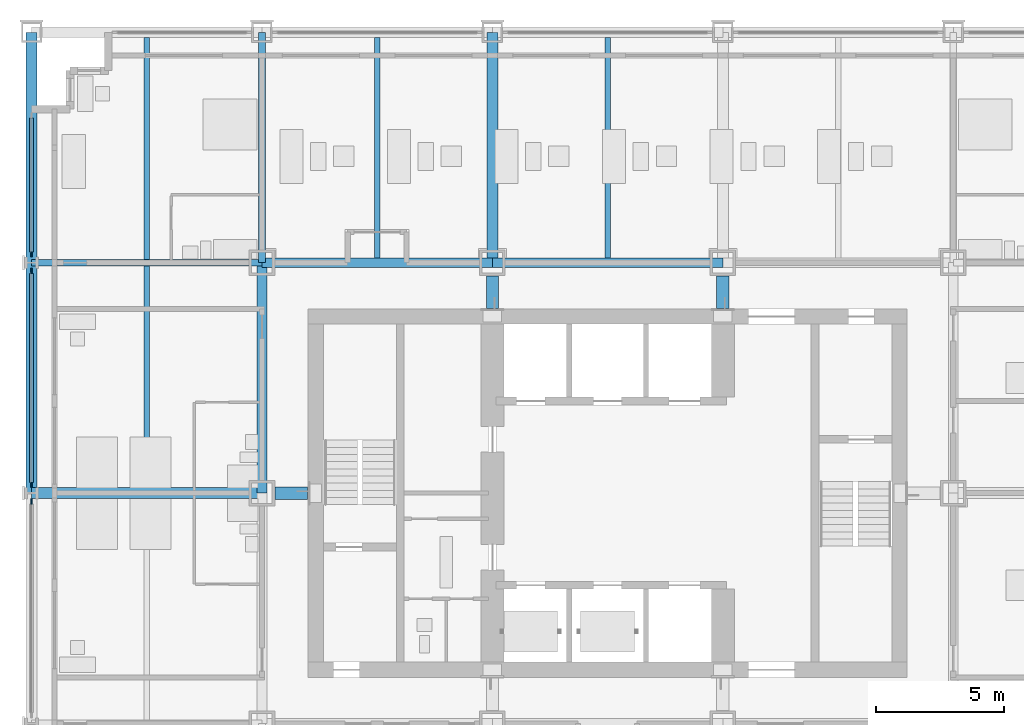
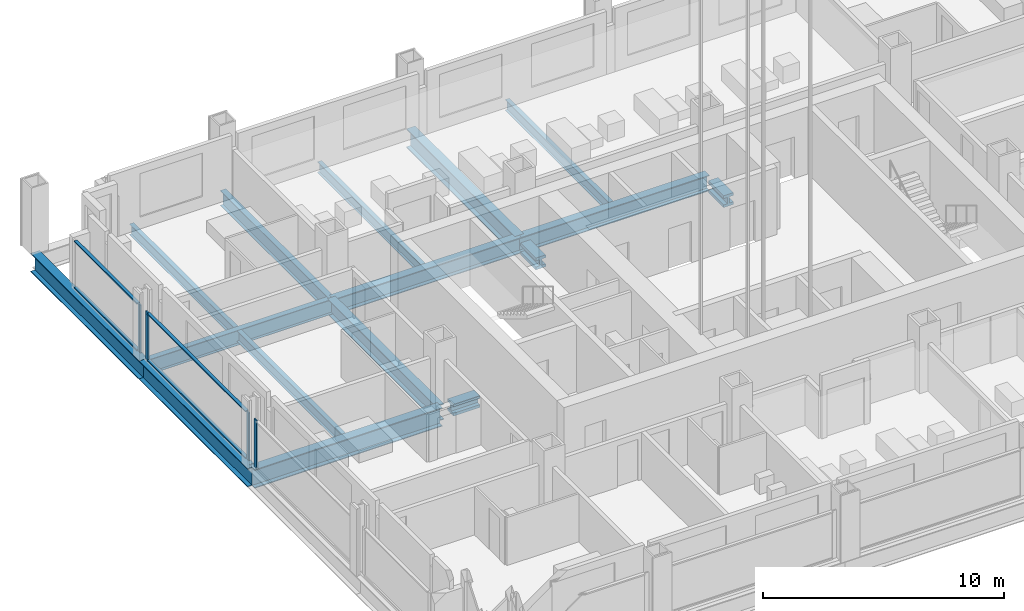
# One storey, part 4 of 19: 13 beams, 11 members, 3 elements without a shape of their own.
"""IFC4 building model written with IfcOpenShell, lengths in metres."""

from ifc_helpers import new_model, si_unit, direction, frame, origin, origin_2d, place, context, subcontext, project, spatial, rectangle, i_section, extrude, material, material_profile, profile_set, type_object, element, aggregate, save


model = new_model("IFC4")

# Units and contexts
model_context = context("Model", 3, precision=1e-05, world=origin(), true_north=direction((0.0, 1.0)))
body_context = subcontext(model_context, "Body", "Model", "MODEL_VIEW")
ifc_project = project(units=[si_unit("LENGTHUNIT", "METRE"), si_unit("AREAUNIT", "SQUARE_METRE"), si_unit("VOLUMEUNIT", "CUBIC_METRE"), si_unit("PLANEANGLEUNIT", "RADIAN"), si_unit("MASSUNIT", "GRAM", prefix="KILO")], contexts=[model_context])

# Site, building, storey
site_placement = place(None, origin())
site = spatial("IfcSite", under=ifc_project, at=site_placement, CompositionType="ELEMENT")
building_placement = place(site_placement, origin())
building = spatial("IfcBuilding", under=site, at=building_placement, Name="Loomwork Tower", CompositionType="ELEMENT")
storey_placement = place(building_placement, frame((0.0, 0.0, 94.199951171875)))
storey = spatial("IfcBuildingStorey", under=building, at=storey_placement, Name="L24", CompositionType="ELEMENT", Elevation=94.199951171875)

# Beams
ifc_material_1 = material(Name="Steel ASTM A992", Category="steel")
ifc_material_profile_1 = material_profile(ifc_material_1, i_section(OverallWidth=0.424072265625, OverallDepth=0.947509765625, WebThickness=0.02392578125, FlangeThickness=0.042724609375, at=origin_2d()), Name="W36x302")
ifc_profile_set_1 = profile_set([ifc_material_profile_1], Name="Steel ASTM A992")
beam_type_1 = type_object("IfcBeamType", Name="BELT CHORD SPANDREL W36x302", PredefinedType="SPANDREL", material=ifc_profile_set_1)
for number, where, z_axis, x_axis, name in (
    (1, (0.0, 18.0, -0.673583984375), (0.0, 1.0, 0.0), (-1.0, 0.0, 0.0), "Belt Chord Spandrel F/2-G/2 L24"),
    (2, (0.0, 27.0, -0.673583984375), (0.0, 1.0, 0.0), (-1.0, 0.0, 0.0), "Belt Chord Spandrel G/2-H/2 L24"),
):
    element("IfcBeam", number, at=place(storey_placement, frame(where, z_axis=z_axis, x_axis=x_axis)), inside=storey, type_object=beam_type_1, Name=name, PredefinedType="SPANDREL", context=body_context, shape_type="SweptSolid", body=[
        extrude(i_section(OverallWidth=0.424072265625, OverallDepth=0.947509765625, WebThickness=0.02392578125, FlangeThickness=0.042724609375, at=origin_2d()), origin(), (0.0, 0.0, 1.0), 9.0),
    ])
ifc_material_2 = material(Name="Steel ASTM A992", Category="steel")
ifc_material_profile_2 = material_profile(ifc_material_2, i_section(OverallWidth=0.383544921875, OverallDepth=0.794921875, WebThickness=0.02099609375, FlangeThickness=0.0380859375, at=origin_2d()), Name="W30x235")
ifc_profile_set_2 = profile_set([ifc_material_profile_2], Name="Steel ASTM A992")
beam_type_2 = type_object("IfcBeamType", Name="CORE FLANK GIRDER W30x235", PredefinedType="BEAM", material=ifc_profile_set_2)
for number, where, z_axis, x_axis, name in (
    (3, (9.0, 27.0, -0.597412109375), (1.0, 0.0, 0.0), (0.0, 1.0, 0.0), "Core Flank Girder G/3-G/4 L24"),
    (4, (18.0, 27.0, -0.597412109375), (1.0, 0.0, 0.0), (0.0, 1.0, 0.0), "Core Flank Girder G/4-G/5 L24"),
    (5, (9.0, 18.0, -0.597412109375), (0.0, 1.0, 0.0), (-1.0, 0.0, 0.0), "Core Flank Girder F/3-G/3 L24"),
):
    element("IfcBeam", number, at=place(storey_placement, frame(where, z_axis=z_axis, x_axis=x_axis)), inside=storey, type_object=beam_type_2, Name=name, PredefinedType="BEAM", context=body_context, shape_type="SweptSolid", body=[
        extrude(i_section(OverallWidth=0.383544921875, OverallDepth=0.794921875, WebThickness=0.02099609375, FlangeThickness=0.0380859375, at=origin_2d()), origin(), (0.0, 0.0, 1.0), 9.0),
    ])
ifc_material_3 = material(Name="Steel ASTM A992", Category="steel")
ifc_material_profile_3 = material_profile(ifc_material_3, i_section(OverallWidth=0.2666015625, OverallDepth=0.761962890625, WebThickness=0.014404296875, FlangeThickness=0.021484375, at=origin_2d()), Name="W30x116")
ifc_profile_set_3 = profile_set([ifc_material_profile_3], Name="Steel ASTM A992")
beam_type_3 = type_object("IfcBeamType", Name="FLOOR GIRDER W30x116", PredefinedType="BEAM", material=ifc_profile_set_3)
for number, where, z_axis, x_axis, name in (
    (6, (0.0, 27.0, -0.5810546875), (1.0, 0.0, 0.0), (0.0, 1.0, 0.0), "Floor Girder G/2-G/3 L24"),
    (7, (9.0, 27.0, -0.5810546875), (0.0, 1.0, 0.0), (-1.0, 0.0, 0.0), "Floor Girder G/3-H/3 L24"),
):
    element("IfcBeam", number, at=place(storey_placement, frame(where, z_axis=z_axis, x_axis=x_axis)), inside=storey, type_object=beam_type_3, Name=name, PredefinedType="BEAM", context=body_context, shape_type="SweptSolid", body=[
        extrude(i_section(OverallWidth=0.2666015625, OverallDepth=0.761962890625, WebThickness=0.014404296875, FlangeThickness=0.021484375, at=origin_2d()), origin(), (0.0, 0.0, 1.0), 9.0),
    ])
ifc_material_4 = material(Name="Steel ASTM A992", Category="steel")
ifc_material_profile_4 = material_profile(ifc_material_4, i_section(OverallWidth=0.21240234375, OverallDepth=0.54345703125, WebThickness=0.01318359375, FlangeThickness=0.021240234375, at=origin_2d()), Name="W21x83")
ifc_profile_set_4 = profile_set([ifc_material_profile_4], Name="Steel ASTM A992")
beam_type_4 = type_object("IfcBeamType", Name="FLOOR JOIST W21x83", PredefinedType="JOIST", material=ifc_profile_set_4)
for number, where, z_axis, x_axis, name in (
    (8, (4.5, 18.2119140625, -0.4716796875), (0.0, 1.0, 0.0), (-1.0, 0.0, 0.0), "Floor Joist 4.500,18.000-4.500,27.000 L24"),
    (9, (4.5, 27.133056640625, -0.4716796875), (0.0, 1.0, 0.0), (-1.0, 0.0, 0.0), "Floor Joist 4.500,27.000-4.500,36.000 L24"),
):
    element("IfcBeam", number, at=place(storey_placement, frame(where, z_axis=z_axis, x_axis=x_axis)), inside=storey, type_object=beam_type_4, Name=name, PredefinedType="JOIST", context=body_context, shape_type="SweptSolid", body=[
        extrude(i_section(OverallWidth=0.21240234375, OverallDepth=0.54345703125, WebThickness=0.01318359375, FlangeThickness=0.021240234375, at=origin_2d()), origin(), (0.0, 0.0, 1.0), 8.655029296875),
    ])
for number, where, z_axis, x_axis, name in (
    (10, (13.5, 27.19091796875, -0.4716796875), (0.0, 1.0, 0.0), (-1.0, 0.0, 0.0), "Floor Joist 13.500,27.000-13.500,36.000 L24"),
    (11, (22.5, 27.19091796875, -0.4716796875), (0.0, 1.0, 0.0), (-1.0, 0.0, 0.0), "Floor Joist 22.500,27.000-22.500,36.000 L24"),
):
    element("IfcBeam", number, at=place(storey_placement, frame(where, z_axis=z_axis, x_axis=x_axis)), inside=storey, type_object=beam_type_4, Name=name, PredefinedType="JOIST", context=body_context, shape_type="SweptSolid", body=[
        extrude(i_section(OverallWidth=0.21240234375, OverallDepth=0.54345703125, WebThickness=0.01318359375, FlangeThickness=0.021240234375, at=origin_2d()), origin(), (0.0, 0.0, 1.0), 8.59716796875),
    ])
ifc_material_5 = material(Name="Steel ASTM A992", Category="steel")
ifc_material_profile_5 = material_profile(ifc_material_5, i_section(OverallWidth=0.424072265625, OverallDepth=0.947509765625, WebThickness=0.02392578125, FlangeThickness=0.042724609375, at=origin_2d()), Name="W36x302")
ifc_profile_set_5 = profile_set([ifc_material_profile_5], Name="Steel ASTM A992")
beam_type_5 = type_object("IfcBeamType", Name="OUTRIGGER GIRDER W36x302", PredefinedType="BEAM", material=ifc_profile_set_5)
for number, where, z_axis, x_axis, name in (
    (12, (0.0, 18.0, -0.673583984375), (1.0, 0.0, 0.0), (0.0, 1.0, 0.0), "Outrigger Girder F/2-F/3 L24"),
    (13, (18.0, 27.0, -0.673583984375), (0.0, 1.0, 0.0), (-1.0, 0.0, 0.0), "Outrigger Girder G/4-H/4 L24"),
):
    element("IfcBeam", number, at=place(storey_placement, frame(where, z_axis=z_axis, x_axis=x_axis)), inside=storey, type_object=beam_type_5, Name=name, PredefinedType="BEAM", context=body_context, shape_type="SweptSolid", body=[
        extrude(i_section(OverallWidth=0.424072265625, OverallDepth=0.947509765625, WebThickness=0.02392578125, FlangeThickness=0.042724609375, at=origin_2d()), origin(), (0.0, 0.0, 1.0), 9.0),
    ])

# Members
ifc_material_6 = material(Name="Steel ASTM A992", Category="steel")
ifc_material_profile_6 = material_profile(ifc_material_6, i_section(OverallWidth=0.4775390625, OverallDepth=0.599365234375, WebThickness=0.10009765625, FlangeThickness=0.139892578125, at=origin_2d()), Name="W14x873")
ifc_profile_set_6 = profile_set([ifc_material_profile_6], Name="Steel ASTM A992")
member_type_1 = type_object("IfcMemberType", Name="OUTRIGGER STRUT W14x873", PredefinedType="STRUT", material=ifc_profile_set_6)
for number, where, z_axis, x_axis, name in (
    (14, (27.0, 26.489990234375, -0.499755859375), (0.0, -1.0, 0.0), (1.0, 0.0, 0.0), "Outrigger strut G/5-27.000,24.900 L24"),
    (15, (18.0, 26.489990234375, -0.499755859375), (0.0, -1.0, 0.0), (1.0, 0.0, 0.0), "Outrigger strut G/4-18.000,24.900 L24"),
    (16, (9.510009765625, 18.0, -0.499755859375), (1.0, 0.0, 0.0), (0.0, 1.0, 0.0), "Outrigger strut F/3-11.100,18.000 L24"),
):
    element("IfcMember", number, at=place(storey_placement, frame(where, z_axis=z_axis, x_axis=x_axis)), inside=storey, type_object=member_type_1, Name=name, PredefinedType="STRUT", context=body_context, shape_type="SweptSolid", body=[
        extrude(i_section(OverallWidth=0.4775390625, OverallDepth=0.599365234375, WebThickness=0.10009765625, FlangeThickness=0.139892578125, at=origin_2d()), origin(), (0.0, 0.0, 1.0), 1.27490234375),
    ])

# Curtain wall, member
ifc_material_7 = material(Name="Aluminium curtain wall frame", Category="aluminium")
curtain_wall_type = type_object("IfcCurtainWallType", Name="Outer skin glazing hotel", PredefinedType="NOTDEFINED", material=ifc_material_7)
curtain_wall_1_placement = place(storey_placement, origin())
curtain_wall_1 = element("IfcCurtainWall", 17, at=curtain_wall_1_placement, inside=storey, type_object=curtain_wall_type, Name="Outer skin glazing hotel cw/W-9", PredefinedType="NOTDEFINED")
ifc_material_8 = material(Name="Aluminium curtain wall frame", Category="aluminium")
ifc_material_profile_7 = material_profile(ifc_material_8, rectangle(XDim=0.06494140625, YDim=0.199951171875, at=origin_2d()), Name="AL 65x200")
ifc_profile_set_7 = profile_set([ifc_material_profile_7], Name="Aluminium curtain wall frame")
member_type_2 = type_object("IfcMemberType", Name="Outer skin glazing hotel mullion", PredefinedType="MULLION", material=ifc_profile_set_7)
member_1_placement = place(storey_placement, frame((0.0, 17.67529296875, 0.0), z_axis=(0.0, 0.0, 1.0), x_axis=(1.0, 0.0, 0.0)))
member_1 = element("IfcMember", 18, at=member_1_placement, type_object=member_type_2, Name="CW1 mullion 1", PredefinedType="MULLION", context=body_context, shape_type="SweptSolid", body=[
    extrude(rectangle(XDim=0.06494140625, YDim=0.199951171875, at=origin_2d()), origin(), (0.0, 0.0, 1.0), 2.420166015625),
])
aggregate(curtain_wall_1, [member_1])

# Curtain wall, members
curtain_wall_2_placement = place(storey_placement, origin())
curtain_wall_2 = element("IfcCurtainWall", 19, at=curtain_wall_2_placement, inside=storey, type_object=curtain_wall_type, Name="Outer skin glazing hotel cw/W-18", PredefinedType="NOTDEFINED")
member_2_placement = place(storey_placement, frame((0.0, 26.67529296875, 0.0), z_axis=(0.0, 0.0, 1.0), x_axis=(1.0, 0.0, 0.0)))
member_2 = element("IfcMember", 20, at=member_2_placement, type_object=member_type_2, Name="CW1 mullion 1", PredefinedType="MULLION", context=body_context, shape_type="SweptSolid", body=[
    extrude(rectangle(XDim=0.06494140625, YDim=0.199951171875, at=origin_2d()), origin(), (0.0, 0.0, 1.0), 2.420166015625),
])
member_3_placement = place(storey_placement, frame((0.0, 18.32470703125, 0.0), z_axis=(0.0, 0.0, 1.0), x_axis=(1.0, 0.0, 0.0)))
member_3 = element("IfcMember", 21, at=member_3_placement, type_object=member_type_2, Name="CW1 mullion 2", PredefinedType="MULLION", context=body_context, shape_type="SweptSolid", body=[
    extrude(rectangle(XDim=0.06494140625, YDim=0.199951171875, at=origin_2d()), origin(), (0.0, 0.0, 1.0), 2.420166015625),
])

# Curtain wall, member
curtain_wall_3_placement = place(storey_placement, origin())
curtain_wall_3 = element("IfcCurtainWall", 22, at=curtain_wall_3_placement, inside=storey, type_object=curtain_wall_type, Name="Outer skin glazing hotel cw/W-27", PredefinedType="NOTDEFINED")
member_4_placement = place(storey_placement, frame((0.0, 27.32470703125, 0.0), z_axis=(0.0, 0.0, 1.0), x_axis=(1.0, 0.0, 0.0)))
member_4 = element("IfcMember", 23, at=member_4_placement, type_object=member_type_2, Name="CW1 mullion 2", PredefinedType="MULLION", context=body_context, shape_type="SweptSolid", body=[
    extrude(rectangle(XDim=0.06494140625, YDim=0.199951171875, at=origin_2d()), origin(), (0.0, 0.0, 1.0), 2.420166015625),
])

# Member
ifc_material_9 = material(Name="Aluminium curtain wall frame", Category="aluminium")
ifc_material_profile_8 = material_profile(ifc_material_9, rectangle(XDim=0.14990234375, YDim=0.06494140625, at=origin_2d()), Name="AL 65x150")
ifc_profile_set_8 = profile_set([ifc_material_profile_8], Name="Aluminium curtain wall frame")
member_type_3 = type_object("IfcMemberType", Name="Outer skin glazing hotel transom", PredefinedType="USERDEFINED", material=ifc_profile_set_8)
member_5_placement = place(storey_placement, frame((0.0, 26.5751953125, 0.032470703125), z_axis=(0.0, -1.0, 0.0), x_axis=(1.0, 0.0, 0.0)))
member_5 = element("IfcMember", 24, at=member_5_placement, type_object=member_type_3, Name="CW1 transom 1.1", ObjectType="TRANSOM", PredefinedType="USERDEFINED", context=body_context, shape_type="SweptSolid", body=[
    extrude(rectangle(XDim=0.14990234375, YDim=0.06494140625, at=origin_2d()), origin(), (0.0, 0.0, 1.0), 8.150390625),
])

member_6_placement = place(storey_placement, frame((0.0, 26.5751953125, 2.3876953125), z_axis=(0.0, -1.0, 0.0), x_axis=(1.0, 0.0, 0.0)))
member_6 = element("IfcMember", 25, at=member_6_placement, type_object=member_type_3, Name="CW1 transom 1.2", ObjectType="TRANSOM", PredefinedType="USERDEFINED", context=body_context, shape_type="SweptSolid", body=[
    extrude(rectangle(XDim=0.14990234375, YDim=0.06494140625, at=origin_2d()), origin(), (0.0, 0.0, 1.0), 8.150390625),
])

aggregate(curtain_wall_2, [member_2, member_3, member_5, member_6])

member_7_placement = place(storey_placement, frame((0.0, 32.64990234375, 0.032470703125), z_axis=(0.0, -1.0, 0.0), x_axis=(1.0, 0.0, 0.0)))
member_7 = element("IfcMember", 26, at=member_7_placement, type_object=member_type_3, Name="CW1 transom 1.1", ObjectType="TRANSOM", PredefinedType="USERDEFINED", context=body_context, shape_type="SweptSolid", body=[
    extrude(rectangle(XDim=0.14990234375, YDim=0.06494140625, at=origin_2d()), origin(), (0.0, 0.0, 1.0), 5.22509765625),
])

member_8_placement = place(storey_placement, frame((0.0, 32.64990234375, 2.3876953125), z_axis=(0.0, -1.0, 0.0), x_axis=(1.0, 0.0, 0.0)))
member_8 = element("IfcMember", 27, at=member_8_placement, type_object=member_type_3, Name="CW1 transom 1.2", ObjectType="TRANSOM", PredefinedType="USERDEFINED", context=body_context, shape_type="SweptSolid", body=[
    extrude(rectangle(XDim=0.14990234375, YDim=0.06494140625, at=origin_2d()), origin(), (0.0, 0.0, 1.0), 5.22509765625),
])

aggregate(curtain_wall_3, [member_4, member_7, member_8])

save(model, "model.ifc")
